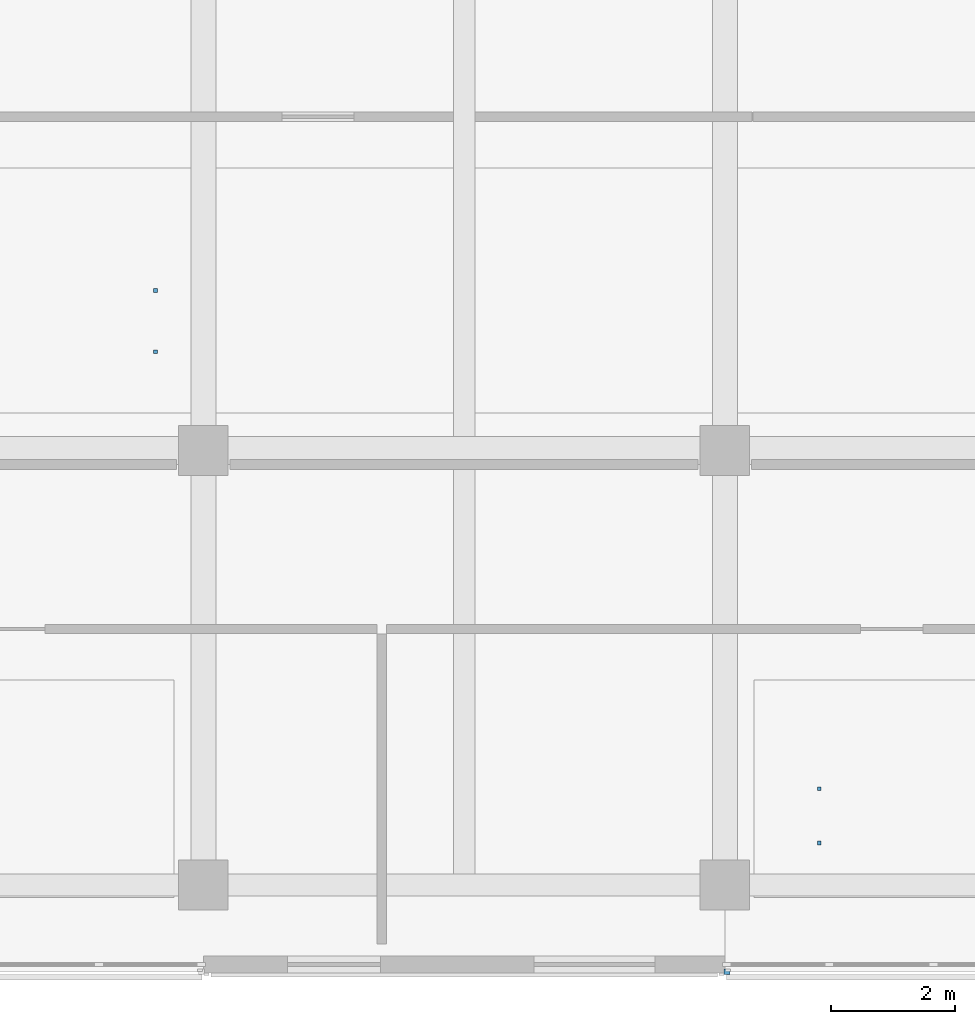
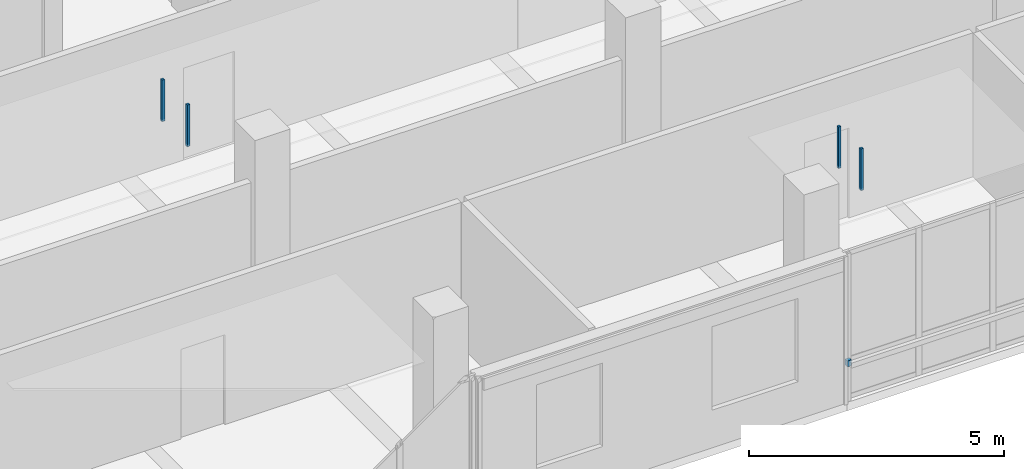
# One storey, part 16 of 34: 5 discrete accessories.
"""IFC4 building model written with IfcOpenShell, lengths in metres."""

from ifc_helpers import new_model, si_unit, direction, frame, origin, origin_2d, place, context, subcontext, project, spatial, rectangle, extrude, material, type_object, element, save


model = new_model("IFC4")

# Units and contexts
model_context = context("Model", 3, precision=1e-05, world=origin(), true_north=direction((0.0, 1.0)))
body_context = subcontext(model_context, "Body", "Model", "MODEL_VIEW")
ifc_project = project(units=[si_unit("LENGTHUNIT", "METRE"), si_unit("AREAUNIT", "SQUARE_METRE"), si_unit("VOLUMEUNIT", "CUBIC_METRE"), si_unit("PLANEANGLEUNIT", "RADIAN"), si_unit("MASSUNIT", "GRAM", prefix="KILO")], contexts=[model_context])

# Site, building, storey
site_placement = place(None, origin())
site = spatial("IfcSite", under=ifc_project, at=site_placement, CompositionType="ELEMENT")
building_placement = place(site_placement, origin())
building = spatial("IfcBuilding", under=site, at=building_placement, Name="Telukmera Botanical Conservatory", CompositionType="ELEMENT")
storey_placement = place(building_placement, frame((0.0, 0.0, 37.5)))
storey = spatial("IfcBuildingStorey", under=building, at=storey_placement, Name="L08", CompositionType="ELEMENT", Elevation=37.5)

# Discrete accessories
ifc_material = material(Name="Steel S355", Category="steel")
discrete_accessory_type_1 = type_object("IfcDiscreteAccessoryType", Name="ACC-CEIL-HGR", PredefinedType="BRACKET", material=ifc_material)
for number, where, z_axis, x_axis, name in (
    (1, (66.427001953125, 19.1875, 3.31005859375), (0.0, 0.0, 1.0), (1.0, 0.0, 0.0), "L08 Suspended Ceiling Hanger Rod 026-1"),
    (2, (66.427001953125, 20.175048828125, 3.31005859375), (0.0, 0.0, 1.0), (1.0, 0.0, 0.0), "L08 Suspended Ceiling Hanger Rod 026-2"),
    (3, (77.12158203125, 11.27490234375, 3.31005859375), (0.0, 0.0, 1.0), (1.0, 0.0, 0.0), "L08 Suspended Ceiling Hanger Rod 030-1"),
    (4, (77.12158203125, 12.14990234375, 3.31005859375), (0.0, 0.0, 1.0), (1.0, 0.0, 0.0), "L08 Suspended Ceiling Hanger Rod 030-2"),
):
    element("IfcDiscreteAccessory", number, at=place(storey_placement, frame(where, z_axis=z_axis, x_axis=x_axis)), inside=storey, type_object=discrete_accessory_type_1, Name=name, PredefinedType="BRACKET", context=body_context, shape_type="SweptSolid", body=[
        extrude(rectangle(XDim=0.06005859375, YDim=0.06005859375, at=origin_2d()), origin(), (0.0, 0.0, 1.0), 0.9951171875),
    ])
discrete_accessory_type_2 = type_object("IfcDiscreteAccessoryType", Name="Structural Steel Facade Outrigger Fin Bracket", PredefinedType="BRACKET", material=ifc_material)
discrete_accessory_placement = place(storey_placement, frame((75.632080078125, 9.205078125, 0.8798828125), z_axis=(0.0, 0.0, 1.0), x_axis=(1.0, 0.0, 0.0)))
element("IfcDiscreteAccessory", 5, at=discrete_accessory_placement, inside=storey, type_object=discrete_accessory_type_2, Name="Facade Outrigger Bracket V4:L08:S4 A", PredefinedType="BRACKET", context=body_context, shape_type="SweptSolid", body=[
    extrude(rectangle(XDim=0.10009765625, YDim=0.090087890625, at=origin_2d()), origin(), (0.0, 0.0, 1.0), 0.139892578125),
])

save(model, "model.ifc")
